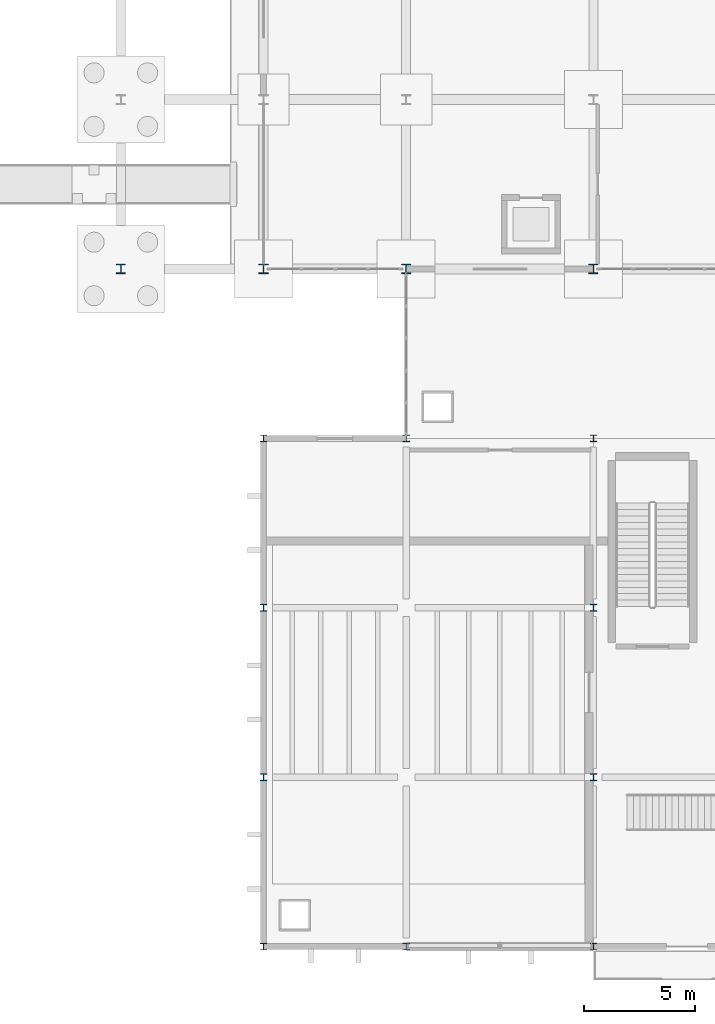
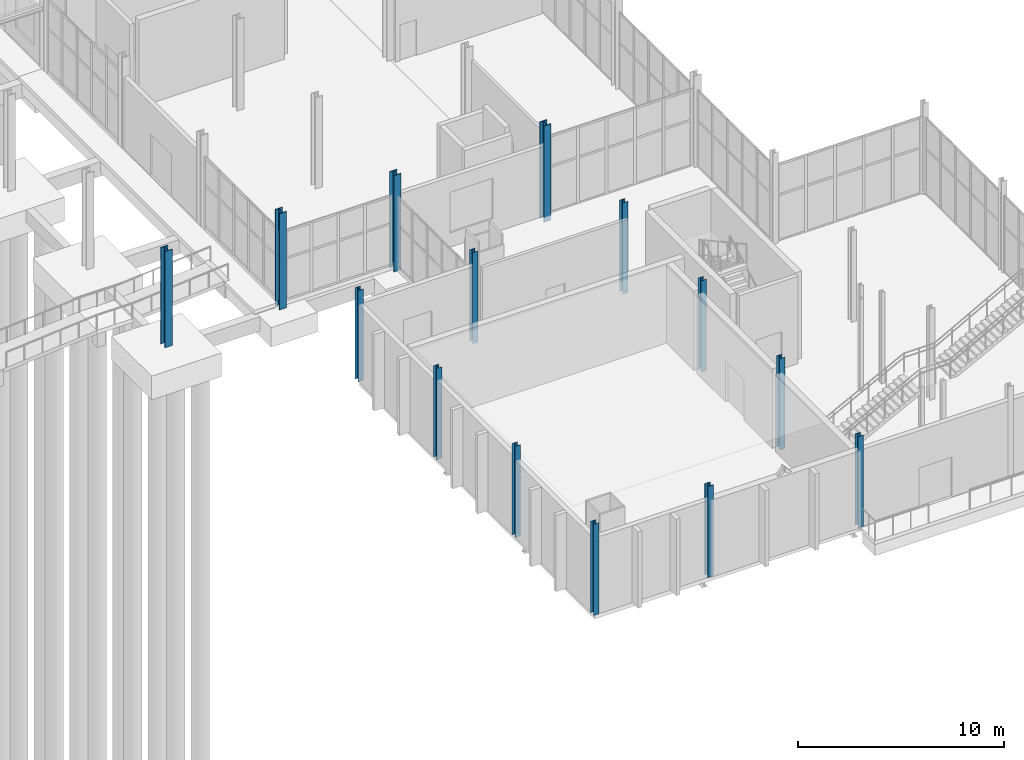
# One storey, part 5 of 95: 14 columns.
"""IFC4 building model written with IfcOpenShell, lengths in metres."""

from ifc_helpers import new_model, si_unit, direction, frame, origin, origin_2d, place, context, subcontext, project, spatial, i_section, extrude, material, material_profile, profile_set, type_object, element, save


model = new_model("IFC4")

# Units and contexts
model_context = context("Model", 3, precision=1e-05, world=origin(), true_north=direction((0.0, 1.0)))
body_context = subcontext(model_context, "Body", "Model", "MODEL_VIEW")
ifc_project = project(units=[si_unit("LENGTHUNIT", "METRE"), si_unit("AREAUNIT", "SQUARE_METRE"), si_unit("VOLUMEUNIT", "CUBIC_METRE"), si_unit("PLANEANGLEUNIT", "RADIAN"), si_unit("MASSUNIT", "GRAM", prefix="KILO")], contexts=[model_context])

# Site, building, storey
site_placement = place(None, origin())
site = spatial("IfcSite", under=ifc_project, at=site_placement, CompositionType="ELEMENT")
building_placement = place(site_placement, origin())
building = spatial("IfcBuilding", under=site, at=building_placement, Name="Shengluoqiao Park Theatre", CompositionType="ELEMENT")
storey_placement = place(building_placement, origin())
storey = spatial("IfcBuildingStorey", under=building, at=storey_placement, Name="L00", CompositionType="ELEMENT", Elevation=0.0)

# Columns
ifc_material_1 = material(Name="Steel Q355", Category="steel")
ifc_material_profile_1 = material_profile(ifc_material_1, i_section(OverallWidth=0.304931640625, OverallDepth=0.300048828125, WebThickness=0.014892578125, FlangeThickness=0.014892578125, FilletRadius=0.01806640625, at=origin_2d()), Name="HW 300x305x15x15")
ifc_profile_set_1 = profile_set([ifc_material_profile_1], Name="Steel Q355")
column_type_1 = type_object("IfcColumnType", Name="STR-COL-C-HW305", PredefinedType="COLUMN", material=ifc_profile_set_1)
for number, where, z_axis, x_axis, name in (
    (1, (12.800048828125, 0.0, 0.0), (0.0, 0.0, 1.0), (1.0, 0.0, 0.0), "L00 Column 0030"),
    (2, (12.800048828125, 7.60009765625, 0.0), (0.0, 0.0, 1.0), (1.0, 0.0, 0.0), "L00 Column 0034"),
    (3, (12.800048828125, 15.199951171875, 0.0), (0.0, 0.0, 1.0), (1.0, 0.0, 0.0), "L00 Column 0038"),
    (4, (12.800048828125, 22.800048828125, 0.0), (0.0, 0.0, 1.0), (1.0, 0.0, 0.0), "L00 Column 0042"),
    (5, (19.199951171875, 0.0, 0.0), (0.0, 0.0, 1.0), (1.0, 0.0, 0.0), "L00 Column 0068"),
    (6, (19.199951171875, 22.800048828125, 0.0), (0.0, 0.0, 1.0), (1.0, 0.0, 0.0), "L00 Column 0074"),
    (7, (27.60009765625, 0.0, 0.0), (0.0, 0.0, 1.0), (1.0, 0.0, 0.0), "L00 Column 0100"),
    (8, (27.60009765625, 7.60009765625, 0.0), (0.0, 0.0, 1.0), (1.0, 0.0, 0.0), "L00 Column 0104"),
    (9, (27.60009765625, 15.199951171875, 0.0), (0.0, 0.0, 1.0), (1.0, 0.0, 0.0), "L00 Column 0108"),
    (10, (27.60009765625, 22.800048828125, 0.0), (0.0, 0.0, 1.0), (1.0, 0.0, 0.0), "L00 Column 0112"),
):
    element("IfcColumn", number, at=place(storey_placement, frame(where, z_axis=z_axis, x_axis=x_axis)), inside=storey, type_object=column_type_1, Name=name, PredefinedType="COLUMN", context=body_context, shape_type="SweptSolid", body=[
        extrude(i_section(OverallWidth=0.304931640625, OverallDepth=0.300048828125, WebThickness=0.014892578125, FlangeThickness=0.014892578125, FilletRadius=0.01806640625, at=origin_2d()), origin(), (0.0, 0.0, 1.0), 5.39990234375),
    ])
ifc_material_2 = material(Name="Steel Q390", Category="steel")
ifc_material_profile_2 = material_profile(ifc_material_2, i_section(OverallWidth=0.406982421875, OverallDepth=0.427978515625, WebThickness=0.02001953125, FlangeThickness=0.034912109375, FilletRadius=0.02197265625, at=origin_2d()), Name="HW 428x407x20x35")
ifc_profile_set_2 = profile_set([ifc_material_profile_2], Name="Steel Q390")
column_type_2 = type_object("IfcColumnType", Name="STR-COL-C-HW428", PredefinedType="COLUMN", material=ifc_profile_set_2)
for number, where, z_axis, x_axis, name in (
    (11, (6.39990234375, 30.39990234375, -0.300048828125), (0.0, 0.0, 1.0), (1.0, 0.0, 0.0), "L00 Column 0001"),
    (12, (12.800048828125, 30.39990234375, -0.300048828125), (0.0, 0.0, 1.0), (1.0, 0.0, 0.0), "L00 Column 0045"),
    (13, (19.199951171875, 30.39990234375, -0.300048828125), (0.0, 0.0, 1.0), (1.0, 0.0, 0.0), "L00 Column 0077"),
    (14, (27.60009765625, 30.39990234375, -0.300048828125), (0.0, 0.0, 1.0), (1.0, 0.0, 0.0), "L00 Column 0115"),
):
    element("IfcColumn", number, at=place(storey_placement, frame(where, z_axis=z_axis, x_axis=x_axis)), inside=storey, type_object=column_type_2, Name=name, PredefinedType="COLUMN", context=body_context, shape_type="SweptSolid", body=[
        extrude(i_section(OverallWidth=0.406982421875, OverallDepth=0.427978515625, WebThickness=0.02001953125, FlangeThickness=0.034912109375, FilletRadius=0.02197265625, at=origin_2d()), origin(), (0.0, 0.0, 1.0), 5.699951171875),
    ])

save(model, "model.ifc")
